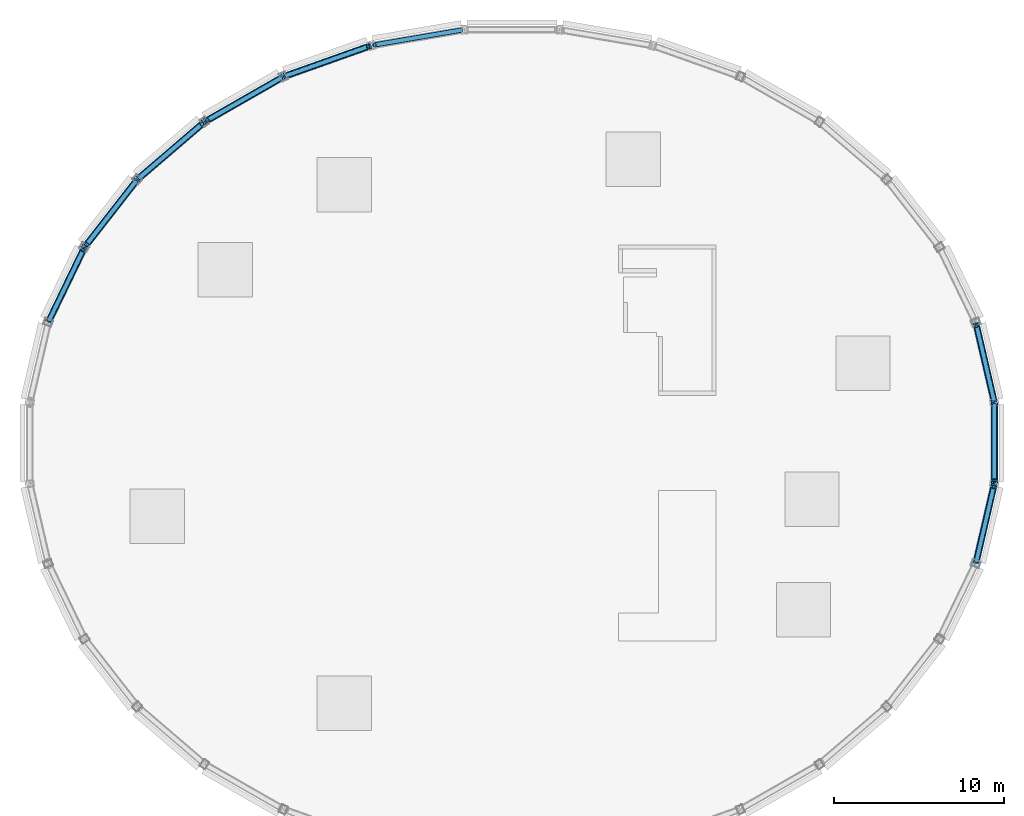
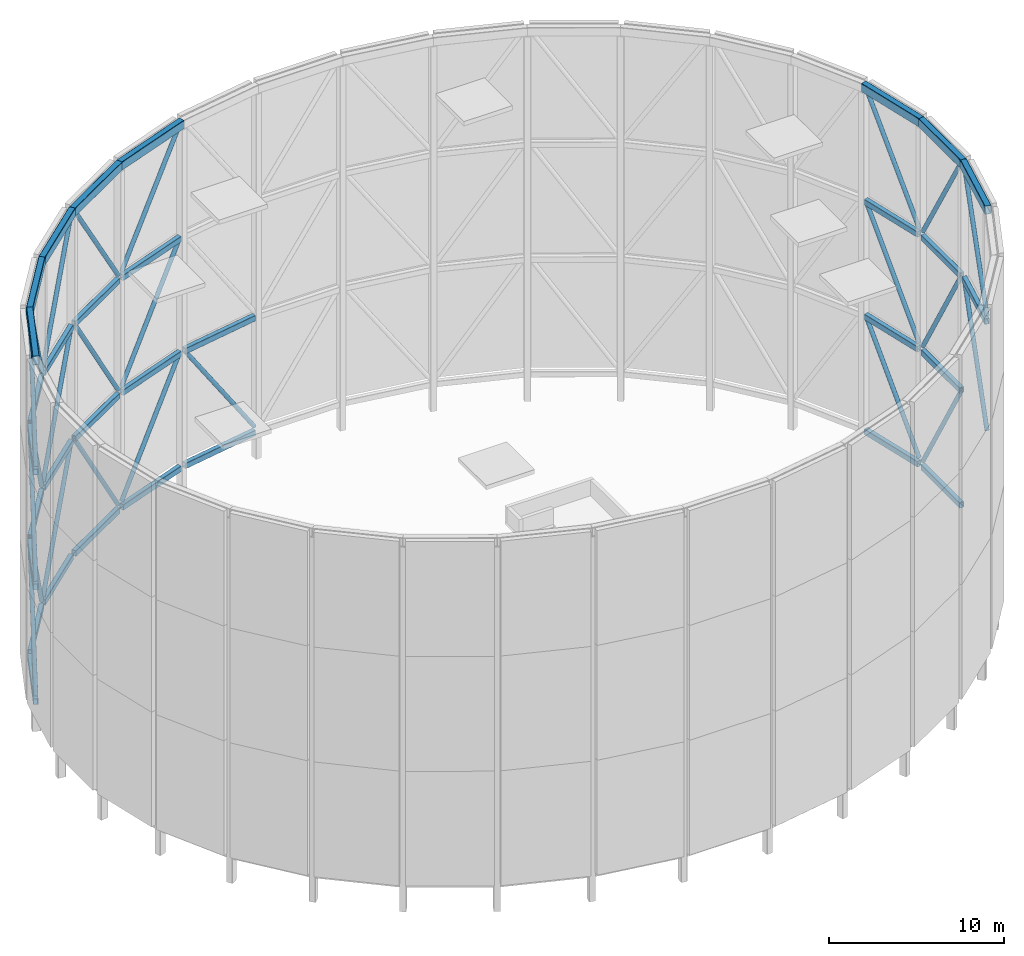
# One storey, part 5 of 8: 32 beams, 24 members.
"""IFC4 building model written with IfcOpenShell, lengths in metres."""

from ifc_helpers import new_model, si_unit, direction, frame, origin, origin_2d, place, context, subcontext, project, spatial, hollow_rectangle, hollow_circle, extrude, material, material_profile, profile_set, type_object, element, save


model = new_model("IFC4")

# Units and contexts
model_context = context("Model", 3, precision=1e-05, world=origin(), true_north=direction((0.0, 1.0)))
body_context = subcontext(model_context, "Body", "Model", "MODEL_VIEW")
ifc_project = project(units=[si_unit("LENGTHUNIT", "METRE"), si_unit("AREAUNIT", "SQUARE_METRE"), si_unit("VOLUMEUNIT", "CUBIC_METRE"), si_unit("PLANEANGLEUNIT", "RADIAN"), si_unit("MASSUNIT", "GRAM", prefix="KILO")], contexts=[model_context])

# Site, building, storey
site_placement = place(None, origin())
site = spatial("IfcSite", under=ifc_project, at=site_placement, CompositionType="ELEMENT")
building_placement = place(site_placement, origin())
building = spatial("IfcBuilding", under=site, at=building_placement, Name="Halqa Exchange Tower", CompositionType="ELEMENT")
storey_placement = place(building_placement, frame((0.0, 0.0, 355.300048828125)))
storey = spatial("IfcBuildingStorey", under=building, at=storey_placement, Name="Roof level crown frame", CompositionType="ELEMENT", Elevation=355.300048828125)

# Members
ifc_material = material(Name="Steel S355", Category="steel")
ifc_material_profile_1 = material_profile(ifc_material, hollow_circle(Radius=0.136474609375, WallThickness=0.01611328125, at=origin_2d()), Name="CHS 273x16")
ifc_profile_set_1 = profile_set([ifc_material_profile_1], Name="Steel S355")
member_type = type_object("IfcMemberType", Name="CROWN FRAME brace CHS 273x16", PredefinedType="BRACE", material=ifc_profile_set_1)
member_1_placement = place(storey_placement, frame((28.31982421875, 2.57958984375, 2.199951171875), z_axis=(-0.114045514436, 0.491488463358, 0.86338445146), x_axis=(-0.974119033912, -0.22603563385, 0.0)))
element("IfcMember", 1, at=member_1_placement, inside=storey, type_object=member_type, Name="Crown frame brace 2.1", PredefinedType="BRACE", context=body_context, shape_type="SweptSolid", body=[
    extrude(hollow_circle(Radius=0.136474609375, WallThickness=0.01611328125, at=origin_2d()), origin(), (0.0, 0.0, 1.0), 8.802734375),
])
member_2_placement = place(storey_placement, frame((-2.980712890625, 24.279052734375, 2.199951171875), z_axis=(-0.555086491161, -0.094638132042, 0.826391318501), x_axis=(0.168067416098, -0.985775503675, 0.0)))
element("IfcMember", 2, at=member_2_placement, inside=storey, type_object=member_type, Name="Crown frame brace 2.9", PredefinedType="BRACE", context=body_context, shape_type="SweptSolid", body=[
    extrude(hollow_circle(Radius=0.136474609375, WallThickness=0.01611328125, at=origin_2d()), origin(), (0.0, 0.0, 1.0), 9.19677734375),
])
member_3_placement = place(storey_placement, frame((-8.4521484375, 23.31298828125, 9.800048828125), z_axis=(-0.52490509772, -0.186351314235, -0.830510581552), x_axis=(0.334560791797, -0.942374170164, 0.0)))
element("IfcMember", 3, at=member_3_placement, inside=storey, type_object=member_type, Name="Crown frame brace 2.10", PredefinedType="BRACE", context=body_context, shape_type="SweptSolid", body=[
    extrude(hollow_circle(Radius=0.136474609375, WallThickness=0.01611328125, at=origin_2d()), origin(), (0.0, 0.0, 1.0), 9.151123046875),
])
member_4_placement = place(storey_placement, frame((-13.599609375, 21.44970703125, 2.199951171875), z_axis=(-0.475152360308, -0.27213002748, 0.836764890897), x_axis=(0.496984556947, -0.867759384943, 0.0)))
element("IfcMember", 4, at=member_4_placement, inside=storey, type_object=member_type, Name="Crown frame brace 2.11", PredefinedType="BRACE", context=body_context, shape_type="SweptSolid", body=[
    extrude(hollow_circle(Radius=0.136474609375, WallThickness=0.01611328125, at=origin_2d()), origin(), (0.0, 0.0, 1.0), 9.082763671875),
])
member_5_placement = place(storey_placement, frame((-18.224609375, 18.760009765625, 9.800048828125), z_axis=(-0.406814817738, -0.34871778863, -0.844332640588), x_axis=(0.650812216448, -0.759238736447, 0.0)))
element("IfcMember", 5, at=member_5_placement, inside=storey, type_object=member_type, Name="Crown frame brace 2.12", PredefinedType="BRACE", context=body_context, shape_type="SweptSolid", body=[
    extrude(hollow_circle(Radius=0.136474609375, WallThickness=0.01611328125, at=origin_2d()), origin(), (0.0, 0.0, 1.0), 9.001220703125),
])
member_6_placement = place(storey_placement, frame((-22.147705078125, 15.347412109375, 2.199951171875), z_axis=(-0.32180529833, -0.412815132212, 0.852071016162), x_axis=(0.788678776102, -0.614805488041, 0.0)))
element("IfcMember", 6, at=member_6_placement, inside=storey, type_object=member_type, Name="Crown frame brace 2.13", PredefinedType="BRACE", context=body_context, shape_type="SweptSolid", body=[
    extrude(hollow_circle(Radius=0.136474609375, WallThickness=0.01611328125, at=origin_2d()), origin(), (0.0, 0.0, 1.0), 8.919677734375),
])
member_7_placement = place(storey_placement, frame((-25.217529296875, 11.344482421875, 9.800048828125), z_axis=(-0.222905657614, -0.461287809526, -0.85879370316), x_axis=(0.900387276879, -0.435089360516, 0.0)))
element("IfcMember", 7, at=member_7_placement, inside=storey, type_object=member_type, Name="Crown frame brace 2.14", PredefinedType="BRACE", context=body_context, shape_type="SweptSolid", body=[
    extrude(hollow_circle(Radius=0.136474609375, WallThickness=0.01611328125, at=origin_2d()), origin(), (0.0, 0.0, 1.0), 8.849853515625),
])
member_8_placement = place(storey_placement, frame((28.36279296875, -2.204345703125, 9.800048828125), z_axis=(0.0, 0.501772148511, -0.864999832936), x_axis=(-1.0, 0.0, 0.0)))
element("IfcMember", 8, at=member_8_placement, inside=storey, type_object=member_type, Name="Crown frame brace 2.32", PredefinedType="BRACE", context=body_context, shape_type="SweptSolid", body=[
    extrude(hollow_circle(Radius=0.136474609375, WallThickness=0.01611328125, at=origin_2d()), origin(), (0.0, 0.0, 1.0), 8.7861328125),
])
member_9_placement = place(storey_placement, frame((28.31982421875, 2.57958984375, 10.199951171875), z_axis=(-0.114045514436, 0.491488463358, 0.86338445146), x_axis=(-0.974119033912, -0.22603563385, 0.0)))
element("IfcMember", 9, at=member_9_placement, inside=storey, type_object=member_type, Name="Crown frame brace 3.1", PredefinedType="BRACE", context=body_context, shape_type="SweptSolid", body=[
    extrude(hollow_circle(Radius=0.136474609375, WallThickness=0.01611328125, at=origin_2d()), origin(), (0.0, 0.0, 1.0), 8.802734375),
])
member_10_placement = place(storey_placement, frame((-8.4521484375, 23.31298828125, 17.800048828125), z_axis=(-0.52490509772, -0.186351314235, -0.830510581552), x_axis=(0.334560791797, -0.942374170164, 0.0)))
element("IfcMember", 10, at=member_10_placement, inside=storey, type_object=member_type, Name="Crown frame brace 3.10", PredefinedType="BRACE", context=body_context, shape_type="SweptSolid", body=[
    extrude(hollow_circle(Radius=0.136474609375, WallThickness=0.01611328125, at=origin_2d()), origin(), (0.0, 0.0, 1.0), 9.151123046875),
])
member_11_placement = place(storey_placement, frame((-13.599609375, 21.44970703125, 10.199951171875), z_axis=(-0.475152360308, -0.27213002748, 0.836764890897), x_axis=(0.496984556947, -0.867759384943, 0.0)))
element("IfcMember", 11, at=member_11_placement, inside=storey, type_object=member_type, Name="Crown frame brace 3.11", PredefinedType="BRACE", context=body_context, shape_type="SweptSolid", body=[
    extrude(hollow_circle(Radius=0.136474609375, WallThickness=0.01611328125, at=origin_2d()), origin(), (0.0, 0.0, 1.0), 9.082763671875),
])
member_12_placement = place(storey_placement, frame((-18.224609375, 18.760009765625, 17.800048828125), z_axis=(-0.406814817738, -0.34871778863, -0.844332640588), x_axis=(0.650812216448, -0.759238736447, 0.0)))
element("IfcMember", 12, at=member_12_placement, inside=storey, type_object=member_type, Name="Crown frame brace 3.12", PredefinedType="BRACE", context=body_context, shape_type="SweptSolid", body=[
    extrude(hollow_circle(Radius=0.136474609375, WallThickness=0.01611328125, at=origin_2d()), origin(), (0.0, 0.0, 1.0), 9.001220703125),
])
member_13_placement = place(storey_placement, frame((-22.147705078125, 15.347412109375, 10.199951171875), z_axis=(-0.32180529833, -0.412815132212, 0.852071016162), x_axis=(0.788678776102, -0.614805488041, 0.0)))
element("IfcMember", 13, at=member_13_placement, inside=storey, type_object=member_type, Name="Crown frame brace 3.13", PredefinedType="BRACE", context=body_context, shape_type="SweptSolid", body=[
    extrude(hollow_circle(Radius=0.136474609375, WallThickness=0.01611328125, at=origin_2d()), origin(), (0.0, 0.0, 1.0), 8.919677734375),
])
member_14_placement = place(storey_placement, frame((-25.217529296875, 11.344482421875, 17.800048828125), z_axis=(-0.222905657614, -0.461287809526, -0.85879370316), x_axis=(0.900387276879, -0.435089360516, 0.0)))
element("IfcMember", 14, at=member_14_placement, inside=storey, type_object=member_type, Name="Crown frame brace 3.14", PredefinedType="BRACE", context=body_context, shape_type="SweptSolid", body=[
    extrude(hollow_circle(Radius=0.136474609375, WallThickness=0.01611328125, at=origin_2d()), origin(), (0.0, 0.0, 1.0), 8.849853515625),
])
member_15_placement = place(storey_placement, frame((27.31591796875, -6.906005859375, 10.199951171875), z_axis=(0.114045514436, 0.491488463358, 0.86338445146), x_axis=(-0.974119033912, 0.22603563385, 0.0)))
element("IfcMember", 15, at=member_15_placement, inside=storey, type_object=member_type, Name="Crown frame brace 3.31", PredefinedType="BRACE", context=body_context, shape_type="SweptSolid", body=[
    extrude(hollow_circle(Radius=0.136474609375, WallThickness=0.01611328125, at=origin_2d()), origin(), (0.0, 0.0, 1.0), 8.802734375),
])
member_16_placement = place(storey_placement, frame((28.36279296875, -2.204345703125, 17.800048828125), z_axis=(0.0, 0.501772148511, -0.864999832936), x_axis=(-1.0, 0.0, 0.0)))
element("IfcMember", 16, at=member_16_placement, inside=storey, type_object=member_type, Name="Crown frame brace 3.32", PredefinedType="BRACE", context=body_context, shape_type="SweptSolid", body=[
    extrude(hollow_circle(Radius=0.136474609375, WallThickness=0.01611328125, at=origin_2d()), origin(), (0.0, 0.0, 1.0), 8.7861328125),
])
member_17_placement = place(storey_placement, frame((28.31982421875, 2.57958984375, 18.199951171875), z_axis=(-0.115174356255, 0.496353299414, 0.860446552565), x_axis=(-0.974119033912, -0.22603563385, 0.0)))
element("IfcMember", 17, at=member_17_placement, inside=storey, type_object=member_type, Name="Crown frame brace 4.1", PredefinedType="BRACE", context=body_context, shape_type="SweptSolid", body=[
    extrude(hollow_circle(Radius=0.136474609375, WallThickness=0.01611328125, at=origin_2d()), origin(), (0.0, 0.0, 1.0), 8.71630859375),
])
member_18_placement = place(storey_placement, frame((-8.4521484375, 23.31298828125, 25.699951171875), z_axis=(-0.529707235587, -0.188056164705, -0.827070204688), x_axis=(0.334560791797, -0.942374170164, 0.0)))
element("IfcMember", 18, at=member_18_placement, inside=storey, type_object=member_type, Name="Crown frame brace 4.10", PredefinedType="BRACE", context=body_context, shape_type="SweptSolid", body=[
    extrude(hollow_circle(Radius=0.136474609375, WallThickness=0.01611328125, at=origin_2d()), origin(), (0.0, 0.0, 1.0), 9.068115234375),
])
member_19_placement = place(storey_placement, frame((-13.599609375, 21.44970703125, 18.199951171875), z_axis=(-0.479565967415, -0.274657795673, 0.833414409627), x_axis=(0.496984556947, -0.867759384943, 0.0)))
element("IfcMember", 19, at=member_19_placement, inside=storey, type_object=member_type, Name="Crown frame brace 4.11", PredefinedType="BRACE", context=body_context, shape_type="SweptSolid", body=[
    extrude(hollow_circle(Radius=0.136474609375, WallThickness=0.01611328125, at=origin_2d()), origin(), (0.0, 0.0, 1.0), 8.9990234375),
])
member_20_placement = place(storey_placement, frame((-18.224609375, 18.760009765625, 25.699951171875), z_axis=(-0.410663287748, -0.352016660482, -0.841094486273), x_axis=(0.650812216448, -0.759238736447, 0.0)))
element("IfcMember", 20, at=member_20_placement, inside=storey, type_object=member_type, Name="Crown frame brace 4.12", PredefinedType="BRACE", context=body_context, shape_type="SweptSolid", body=[
    extrude(hollow_circle(Radius=0.136474609375, WallThickness=0.01611328125, at=origin_2d()), origin(), (0.0, 0.0, 1.0), 8.9169921875),
])
member_21_placement = place(storey_placement, frame((-22.147705078125, 15.347412109375, 18.199951171875), z_axis=(-0.324906448646, -0.416793319595, 0.848951782122), x_axis=(0.788678776102, -0.614805488041, 0.0)))
element("IfcMember", 21, at=member_21_placement, inside=storey, type_object=member_type, Name="Crown frame brace 4.13", PredefinedType="BRACE", context=body_context, shape_type="SweptSolid", body=[
    extrude(hollow_circle(Radius=0.136474609375, WallThickness=0.01611328125, at=origin_2d()), origin(), (0.0, 0.0, 1.0), 8.83447265625),
])
member_22_placement = place(storey_placement, frame((-25.217529296875, 11.344482421875, 25.699951171875), z_axis=(-0.22508827003, -0.465804574651, -0.855781145462), x_axis=(0.900387276879, -0.435089360516, 0.0)))
element("IfcMember", 22, at=member_22_placement, inside=storey, type_object=member_type, Name="Crown frame brace 4.14", PredefinedType="BRACE", context=body_context, shape_type="SweptSolid", body=[
    extrude(hollow_circle(Radius=0.136474609375, WallThickness=0.01611328125, at=origin_2d()), origin(), (0.0, 0.0, 1.0), 8.763916015625),
])
member_23_placement = place(storey_placement, frame((27.31591796875, -6.906005859375, 18.199951171875), z_axis=(0.115174356255, 0.496353299414, 0.860446552565), x_axis=(-0.974119033912, 0.22603563385, 0.0)))
element("IfcMember", 23, at=member_23_placement, inside=storey, type_object=member_type, Name="Crown frame brace 4.31", PredefinedType="BRACE", context=body_context, shape_type="SweptSolid", body=[
    extrude(hollow_circle(Radius=0.136474609375, WallThickness=0.01611328125, at=origin_2d()), origin(), (0.0, 0.0, 1.0), 8.71630859375),
])
member_24_placement = place(storey_placement, frame((28.36279296875, -2.204345703125, 25.699951171875), z_axis=(0.0, 0.506757654761, -0.862088556554), x_axis=(-1.0, 0.0, 0.0)))
element("IfcMember", 24, at=member_24_placement, inside=storey, type_object=member_type, Name="Crown frame brace 4.32", PredefinedType="BRACE", context=body_context, shape_type="SweptSolid", body=[
    extrude(hollow_circle(Radius=0.136474609375, WallThickness=0.01611328125, at=origin_2d()), origin(), (0.0, 0.0, 1.0), 8.69970703125),
])

# Beams
ifc_material_profile_2 = material_profile(ifc_material, hollow_rectangle(XDim=0.39990234375, YDim=0.60009765625, WallThickness=0.02490234375, InnerFilletRadius=0.03759765625, OuterFilletRadius=0.050048828125, at=origin_2d()), Name="RHS 600x400x25")
ifc_profile_set_2 = profile_set([ifc_material_profile_2], Name="Steel S355")
beam_type_1 = type_object("IfcBeamType", Name="CROWN FRAME cap beam RHS 600x400x25", PredefinedType="BEAM", material=ifc_profile_set_2)
beam_1_placement = place(storey_placement, frame((28.36279296875, 2.394287109375, 25.699951171875), z_axis=(-0.226072226759, 0.97411054213, 0.0), x_axis=(-0.97411054213, -0.226072226759, 0.0)))
element("IfcBeam", 25, at=beam_1_placement, inside=storey, type_object=beam_type_1, Name="Crown frame cap beam 4.1", PredefinedType="BEAM", context=body_context, shape_type="SweptSolid", body=[
    extrude(hollow_rectangle(XDim=0.39990234375, YDim=0.60009765625, WallThickness=0.02490234375, InnerFilletRadius=0.03759765625, OuterFilletRadius=0.050048828125, at=origin_2d()), origin(), (0.0, 0.0, 1.0), 4.82177734375),
])
beam_2_placement = place(storey_placement, frame((-8.273193359375, 23.376708984375, 25.699951171875), z_axis=(-0.942371541637, -0.334568195607, 0.0), x_axis=(0.334568195607, -0.942371541637, 0.0)))
element("IfcBeam", 26, at=beam_2_placement, inside=storey, type_object=beam_type_1, Name="Crown frame cap beam 4.10", PredefinedType="BEAM", context=body_context, shape_type="SweptSolid", body=[
    extrude(hollow_rectangle(XDim=0.39990234375, YDim=0.60009765625, WallThickness=0.02490234375, InnerFilletRadius=0.03759765625, OuterFilletRadius=0.050048828125, at=origin_2d()), origin(), (0.0, 0.0, 1.0), 5.477294921875),
])
beam_3_placement = place(storey_placement, frame((-13.434814453125, 21.544189453125, 25.699951171875), z_axis=(-0.867743142166, -0.497012916557, 0.0), x_axis=(0.497012916557, -0.867743142166, 0.0)))
element("IfcBeam", 27, at=beam_3_placement, inside=storey, type_object=beam_type_1, Name="Crown frame cap beam 4.11", PredefinedType="BEAM", context=body_context, shape_type="SweptSolid", body=[
    extrude(hollow_rectangle(XDim=0.39990234375, YDim=0.60009765625, WallThickness=0.02490234375, InnerFilletRadius=0.03759765625, OuterFilletRadius=0.050048828125, at=origin_2d()), origin(), (0.0, 0.0, 1.0), 5.353271484375),
])
beam_4_placement = place(storey_placement, frame((-18.080078125, 18.883544921875, 25.699951171875), z_axis=(-0.759263226359, -0.650783645384, 0.0), x_axis=(0.650783645384, -0.759263226359, 0.0)))
element("IfcBeam", 28, at=beam_4_placement, inside=storey, type_object=beam_type_1, Name="Crown frame cap beam 4.12", PredefinedType="BEAM", context=body_context, shape_type="SweptSolid", body=[
    extrude(hollow_rectangle(XDim=0.39990234375, YDim=0.60009765625, WallThickness=0.02490234375, InnerFilletRadius=0.03759765625, OuterFilletRadius=0.050048828125, at=origin_2d()), origin(), (0.0, 0.0, 1.0), 5.203369140625),
])
beam_5_placement = place(storey_placement, frame((-22.03076171875, 15.497314453125, 25.699951171875), z_axis=(-0.614820715009, -0.788666905858, 0.0), x_axis=(0.788666905858, -0.614820715009, 0.0)))
element("IfcBeam", 29, at=beam_5_placement, inside=storey, type_object=beam_type_1, Name="Crown frame cap beam 4.13", PredefinedType="BEAM", context=body_context, shape_type="SweptSolid", body=[
    extrude(hollow_rectangle(XDim=0.39990234375, YDim=0.60009765625, WallThickness=0.02490234375, InnerFilletRadius=0.03759765625, OuterFilletRadius=0.050048828125, at=origin_2d()), origin(), (0.0, 0.0, 1.0), 5.048583984375),
])
beam_6_placement = place(storey_placement, frame((-25.134765625, 11.515625, 25.699951171875), z_axis=(-0.435089449645, -0.90038723381, 0.0), x_axis=(0.90038723381, -0.435089449645, 0.0)))
element("IfcBeam", 30, at=beam_6_placement, inside=storey, type_object=beam_type_1, Name="Crown frame cap beam 4.14", PredefinedType="BEAM", context=body_context, shape_type="SweptSolid", body=[
    extrude(hollow_rectangle(XDim=0.39990234375, YDim=0.60009765625, WallThickness=0.02490234375, InnerFilletRadius=0.03759765625, OuterFilletRadius=0.050048828125, at=origin_2d()), origin(), (0.0, 0.0, 1.0), 4.913818359375),
])
beam_7_placement = place(storey_placement, frame((27.272705078125, -7.09130859375, 25.699951171875), z_axis=(0.226072226759, 0.97411054213, 0.0), x_axis=(-0.97411054213, 0.226072226759, 0.0)))
element("IfcBeam", 31, at=beam_7_placement, inside=storey, type_object=beam_type_1, Name="Crown frame cap beam 4.31", PredefinedType="BEAM", context=body_context, shape_type="SweptSolid", body=[
    extrude(hollow_rectangle(XDim=0.39990234375, YDim=0.60009765625, WallThickness=0.02490234375, InnerFilletRadius=0.03759765625, OuterFilletRadius=0.050048828125, at=origin_2d()), origin(), (0.0, 0.0, 1.0), 4.82177734375),
])
beam_8_placement = place(storey_placement, frame((28.36279296875, -2.394287109375, 25.699951171875), z_axis=(0.0, 1.0, 0.0), x_axis=(-1.0, 0.0, 0.0)))
element("IfcBeam", 32, at=beam_8_placement, inside=storey, type_object=beam_type_1, Name="Crown frame cap beam 4.32", PredefinedType="BEAM", context=body_context, shape_type="SweptSolid", body=[
    extrude(hollow_rectangle(XDim=0.39990234375, YDim=0.60009765625, WallThickness=0.02490234375, InnerFilletRadius=0.03759765625, OuterFilletRadius=0.050048828125, at=origin_2d()), origin(), (0.0, 0.0, 1.0), 4.78857421875),
])
ifc_material_profile_3 = material_profile(ifc_material, hollow_rectangle(XDim=0.300048828125, YDim=0.39990234375, WallThickness=0.01611328125, InnerFilletRadius=0.02392578125, OuterFilletRadius=0.031982421875, at=origin_2d()), Name="RHS 400x300x16")
ifc_profile_set_3 = profile_set([ifc_material_profile_3], Name="Steel S355")
beam_type_2 = type_object("IfcBeamType", Name="CROWN FRAME ring beam RHS 400x300x16", PredefinedType="BEAM", material=ifc_profile_set_3)
beam_9_placement = place(storey_placement, frame((28.31982421875, 2.57958984375, 1.800048828125), z_axis=(-0.22603563385, 0.974119033912, 0.0), x_axis=(-0.974119033912, -0.22603563385, 0.0)))
element("IfcBeam", 33, at=beam_9_placement, inside=storey, type_object=beam_type_2, Name="Crown frame ring beam 1.1", PredefinedType="BEAM", context=body_context, shape_type="SweptSolid", body=[
    extrude(hollow_rectangle(XDim=0.300048828125, YDim=0.39990234375, WallThickness=0.01611328125, InnerFilletRadius=0.02392578125, OuterFilletRadius=0.031982421875, at=origin_2d()), origin(), (0.0, 0.0, 1.0), 4.44140625),
])
beam_10_placement = place(storey_placement, frame((-2.980712890625, 24.279052734375, 1.800048828125), z_axis=(-0.985775503675, -0.168067416098, 0.0), x_axis=(0.168067416098, -0.985775503675, 0.0)))
element("IfcBeam", 34, at=beam_10_placement, inside=storey, type_object=beam_type_2, Name="Crown frame ring beam 1.9", PredefinedType="BEAM", context=body_context, shape_type="SweptSolid", body=[
    extrude(hollow_rectangle(XDim=0.300048828125, YDim=0.39990234375, WallThickness=0.01611328125, InnerFilletRadius=0.02392578125, OuterFilletRadius=0.031982421875, at=origin_2d()), origin(), (0.0, 0.0, 1.0), 5.1787109375),
])
beam_11_placement = place(storey_placement, frame((-8.4521484375, 23.31298828125, 1.800048828125), z_axis=(-0.942374170164, -0.334560791797, 0.0), x_axis=(0.334560791797, -0.942374170164, 0.0)))
element("IfcBeam", 35, at=beam_11_placement, inside=storey, type_object=beam_type_2, Name="Crown frame ring beam 1.10", PredefinedType="BEAM", context=body_context, shape_type="SweptSolid", body=[
    extrude(hollow_rectangle(XDim=0.300048828125, YDim=0.39990234375, WallThickness=0.01611328125, InnerFilletRadius=0.02392578125, OuterFilletRadius=0.031982421875, at=origin_2d()), origin(), (0.0, 0.0, 1.0), 5.09716796875),
])
beam_12_placement = place(storey_placement, frame((-13.599609375, 21.44970703125, 1.800048828125), z_axis=(-0.867759384943, -0.496984556947, 0.0), x_axis=(0.496984556947, -0.867759384943, 0.0)))
element("IfcBeam", 36, at=beam_12_placement, inside=storey, type_object=beam_type_2, Name="Crown frame ring beam 1.11", PredefinedType="BEAM", context=body_context, shape_type="SweptSolid", body=[
    extrude(hollow_rectangle(XDim=0.300048828125, YDim=0.39990234375, WallThickness=0.01611328125, InnerFilletRadius=0.02392578125, OuterFilletRadius=0.031982421875, at=origin_2d()), origin(), (0.0, 0.0, 1.0), 4.973388671875),
])
beam_13_placement = place(storey_placement, frame((-18.224609375, 18.760009765625, 1.800048828125), z_axis=(-0.759238736447, -0.650812216448, 0.0), x_axis=(0.650812216448, -0.759238736447, 0.0)))
element("IfcBeam", 37, at=beam_13_placement, inside=storey, type_object=beam_type_2, Name="Crown frame ring beam 1.12", PredefinedType="BEAM", context=body_context, shape_type="SweptSolid", body=[
    extrude(hollow_rectangle(XDim=0.300048828125, YDim=0.39990234375, WallThickness=0.01611328125, InnerFilletRadius=0.02392578125, OuterFilletRadius=0.031982421875, at=origin_2d()), origin(), (0.0, 0.0, 1.0), 4.822998046875),
])
beam_14_placement = place(storey_placement, frame((-22.147705078125, 15.347412109375, 1.800048828125), z_axis=(-0.614805488041, -0.788678776102, 0.0), x_axis=(0.788678776102, -0.614805488041, 0.0)))
element("IfcBeam", 38, at=beam_14_placement, inside=storey, type_object=beam_type_2, Name="Crown frame ring beam 1.13", PredefinedType="BEAM", context=body_context, shape_type="SweptSolid", body=[
    extrude(hollow_rectangle(XDim=0.300048828125, YDim=0.39990234375, WallThickness=0.01611328125, InnerFilletRadius=0.02392578125, OuterFilletRadius=0.031982421875, at=origin_2d()), origin(), (0.0, 0.0, 1.0), 4.668701171875),
])
beam_15_placement = place(storey_placement, frame((-25.217529296875, 11.344482421875, 1.800048828125), z_axis=(-0.435089360516, -0.900387276879, 0.0), x_axis=(0.900387276879, -0.435089360516, 0.0)))
element("IfcBeam", 39, at=beam_15_placement, inside=storey, type_object=beam_type_2, Name="Crown frame ring beam 1.14", PredefinedType="BEAM", context=body_context, shape_type="SweptSolid", body=[
    extrude(hollow_rectangle(XDim=0.300048828125, YDim=0.39990234375, WallThickness=0.01611328125, InnerFilletRadius=0.02392578125, OuterFilletRadius=0.031982421875, at=origin_2d()), origin(), (0.0, 0.0, 1.0), 4.533935546875),
])
beam_16_placement = place(storey_placement, frame((28.36279296875, -2.204345703125, 1.800048828125), z_axis=(0.0, 1.0, 0.0), x_axis=(-1.0, 0.0, 0.0)))
element("IfcBeam", 40, at=beam_16_placement, inside=storey, type_object=beam_type_2, Name="Crown frame ring beam 1.32", PredefinedType="BEAM", context=body_context, shape_type="SweptSolid", body=[
    extrude(hollow_rectangle(XDim=0.300048828125, YDim=0.39990234375, WallThickness=0.01611328125, InnerFilletRadius=0.02392578125, OuterFilletRadius=0.031982421875, at=origin_2d()), origin(), (0.0, 0.0, 1.0), 4.40869140625),
])
beam_17_placement = place(storey_placement, frame((28.31982421875, 2.57958984375, 9.800048828125), z_axis=(-0.22603563385, 0.974119033912, 0.0), x_axis=(-0.974119033912, -0.22603563385, 0.0)))
element("IfcBeam", 41, at=beam_17_placement, inside=storey, type_object=beam_type_2, Name="Crown frame ring beam 2.1", PredefinedType="BEAM", context=body_context, shape_type="SweptSolid", body=[
    extrude(hollow_rectangle(XDim=0.300048828125, YDim=0.39990234375, WallThickness=0.01611328125, InnerFilletRadius=0.02392578125, OuterFilletRadius=0.031982421875, at=origin_2d()), origin(), (0.0, 0.0, 1.0), 4.44140625),
])
beam_18_placement = place(storey_placement, frame((-2.980712890625, 24.279052734375, 9.800048828125), z_axis=(-0.985775503675, -0.168067416098, 0.0), x_axis=(0.168067416098, -0.985775503675, 0.0)))
element("IfcBeam", 42, at=beam_18_placement, inside=storey, type_object=beam_type_2, Name="Crown frame ring beam 2.9", PredefinedType="BEAM", context=body_context, shape_type="SweptSolid", body=[
    extrude(hollow_rectangle(XDim=0.300048828125, YDim=0.39990234375, WallThickness=0.01611328125, InnerFilletRadius=0.02392578125, OuterFilletRadius=0.031982421875, at=origin_2d()), origin(), (0.0, 0.0, 1.0), 5.1787109375),
])
beam_19_placement = place(storey_placement, frame((-8.4521484375, 23.31298828125, 9.800048828125), z_axis=(-0.942374170164, -0.334560791797, 0.0), x_axis=(0.334560791797, -0.942374170164, 0.0)))
element("IfcBeam", 43, at=beam_19_placement, inside=storey, type_object=beam_type_2, Name="Crown frame ring beam 2.10", PredefinedType="BEAM", context=body_context, shape_type="SweptSolid", body=[
    extrude(hollow_rectangle(XDim=0.300048828125, YDim=0.39990234375, WallThickness=0.01611328125, InnerFilletRadius=0.02392578125, OuterFilletRadius=0.031982421875, at=origin_2d()), origin(), (0.0, 0.0, 1.0), 5.09716796875),
])
beam_20_placement = place(storey_placement, frame((-13.599609375, 21.44970703125, 9.800048828125), z_axis=(-0.867759384943, -0.496984556947, 0.0), x_axis=(0.496984556947, -0.867759384943, 0.0)))
element("IfcBeam", 44, at=beam_20_placement, inside=storey, type_object=beam_type_2, Name="Crown frame ring beam 2.11", PredefinedType="BEAM", context=body_context, shape_type="SweptSolid", body=[
    extrude(hollow_rectangle(XDim=0.300048828125, YDim=0.39990234375, WallThickness=0.01611328125, InnerFilletRadius=0.02392578125, OuterFilletRadius=0.031982421875, at=origin_2d()), origin(), (0.0, 0.0, 1.0), 4.973388671875),
])
beam_21_placement = place(storey_placement, frame((-18.224609375, 18.760009765625, 9.800048828125), z_axis=(-0.759238736447, -0.650812216448, 0.0), x_axis=(0.650812216448, -0.759238736447, 0.0)))
element("IfcBeam", 45, at=beam_21_placement, inside=storey, type_object=beam_type_2, Name="Crown frame ring beam 2.12", PredefinedType="BEAM", context=body_context, shape_type="SweptSolid", body=[
    extrude(hollow_rectangle(XDim=0.300048828125, YDim=0.39990234375, WallThickness=0.01611328125, InnerFilletRadius=0.02392578125, OuterFilletRadius=0.031982421875, at=origin_2d()), origin(), (0.0, 0.0, 1.0), 4.822998046875),
])
beam_22_placement = place(storey_placement, frame((-22.147705078125, 15.347412109375, 9.800048828125), z_axis=(-0.614805488041, -0.788678776102, 0.0), x_axis=(0.788678776102, -0.614805488041, 0.0)))
element("IfcBeam", 46, at=beam_22_placement, inside=storey, type_object=beam_type_2, Name="Crown frame ring beam 2.13", PredefinedType="BEAM", context=body_context, shape_type="SweptSolid", body=[
    extrude(hollow_rectangle(XDim=0.300048828125, YDim=0.39990234375, WallThickness=0.01611328125, InnerFilletRadius=0.02392578125, OuterFilletRadius=0.031982421875, at=origin_2d()), origin(), (0.0, 0.0, 1.0), 4.668701171875),
])
beam_23_placement = place(storey_placement, frame((-25.217529296875, 11.344482421875, 9.800048828125), z_axis=(-0.435089360516, -0.900387276879, 0.0), x_axis=(0.900387276879, -0.435089360516, 0.0)))
element("IfcBeam", 47, at=beam_23_placement, inside=storey, type_object=beam_type_2, Name="Crown frame ring beam 2.14", PredefinedType="BEAM", context=body_context, shape_type="SweptSolid", body=[
    extrude(hollow_rectangle(XDim=0.300048828125, YDim=0.39990234375, WallThickness=0.01611328125, InnerFilletRadius=0.02392578125, OuterFilletRadius=0.031982421875, at=origin_2d()), origin(), (0.0, 0.0, 1.0), 4.533935546875),
])
beam_24_placement = place(storey_placement, frame((28.36279296875, -2.204345703125, 9.800048828125), z_axis=(0.0, 1.0, 0.0), x_axis=(-1.0, 0.0, 0.0)))
element("IfcBeam", 48, at=beam_24_placement, inside=storey, type_object=beam_type_2, Name="Crown frame ring beam 2.32", PredefinedType="BEAM", context=body_context, shape_type="SweptSolid", body=[
    extrude(hollow_rectangle(XDim=0.300048828125, YDim=0.39990234375, WallThickness=0.01611328125, InnerFilletRadius=0.02392578125, OuterFilletRadius=0.031982421875, at=origin_2d()), origin(), (0.0, 0.0, 1.0), 4.40869140625),
])
beam_25_placement = place(storey_placement, frame((28.31982421875, 2.57958984375, 17.800048828125), z_axis=(-0.22603563385, 0.974119033912, 0.0), x_axis=(-0.974119033912, -0.22603563385, 0.0)))
element("IfcBeam", 49, at=beam_25_placement, inside=storey, type_object=beam_type_2, Name="Crown frame ring beam 3.1", PredefinedType="BEAM", context=body_context, shape_type="SweptSolid", body=[
    extrude(hollow_rectangle(XDim=0.300048828125, YDim=0.39990234375, WallThickness=0.01611328125, InnerFilletRadius=0.02392578125, OuterFilletRadius=0.031982421875, at=origin_2d()), origin(), (0.0, 0.0, 1.0), 4.44140625),
])
beam_26_placement = place(storey_placement, frame((-8.4521484375, 23.31298828125, 17.800048828125), z_axis=(-0.942374170164, -0.334560791797, 0.0), x_axis=(0.334560791797, -0.942374170164, 0.0)))
element("IfcBeam", 50, at=beam_26_placement, inside=storey, type_object=beam_type_2, Name="Crown frame ring beam 3.10", PredefinedType="BEAM", context=body_context, shape_type="SweptSolid", body=[
    extrude(hollow_rectangle(XDim=0.300048828125, YDim=0.39990234375, WallThickness=0.01611328125, InnerFilletRadius=0.02392578125, OuterFilletRadius=0.031982421875, at=origin_2d()), origin(), (0.0, 0.0, 1.0), 5.09716796875),
])
beam_27_placement = place(storey_placement, frame((-13.599609375, 21.44970703125, 17.800048828125), z_axis=(-0.867759384943, -0.496984556947, 0.0), x_axis=(0.496984556947, -0.867759384943, 0.0)))
element("IfcBeam", 51, at=beam_27_placement, inside=storey, type_object=beam_type_2, Name="Crown frame ring beam 3.11", PredefinedType="BEAM", context=body_context, shape_type="SweptSolid", body=[
    extrude(hollow_rectangle(XDim=0.300048828125, YDim=0.39990234375, WallThickness=0.01611328125, InnerFilletRadius=0.02392578125, OuterFilletRadius=0.031982421875, at=origin_2d()), origin(), (0.0, 0.0, 1.0), 4.973388671875),
])
beam_28_placement = place(storey_placement, frame((-18.224609375, 18.760009765625, 17.800048828125), z_axis=(-0.759238736447, -0.650812216448, 0.0), x_axis=(0.650812216448, -0.759238736447, 0.0)))
element("IfcBeam", 52, at=beam_28_placement, inside=storey, type_object=beam_type_2, Name="Crown frame ring beam 3.12", PredefinedType="BEAM", context=body_context, shape_type="SweptSolid", body=[
    extrude(hollow_rectangle(XDim=0.300048828125, YDim=0.39990234375, WallThickness=0.01611328125, InnerFilletRadius=0.02392578125, OuterFilletRadius=0.031982421875, at=origin_2d()), origin(), (0.0, 0.0, 1.0), 4.822998046875),
])
beam_29_placement = place(storey_placement, frame((-22.147705078125, 15.347412109375, 17.800048828125), z_axis=(-0.614805488041, -0.788678776102, 0.0), x_axis=(0.788678776102, -0.614805488041, 0.0)))
element("IfcBeam", 53, at=beam_29_placement, inside=storey, type_object=beam_type_2, Name="Crown frame ring beam 3.13", PredefinedType="BEAM", context=body_context, shape_type="SweptSolid", body=[
    extrude(hollow_rectangle(XDim=0.300048828125, YDim=0.39990234375, WallThickness=0.01611328125, InnerFilletRadius=0.02392578125, OuterFilletRadius=0.031982421875, at=origin_2d()), origin(), (0.0, 0.0, 1.0), 4.668701171875),
])
beam_30_placement = place(storey_placement, frame((-25.217529296875, 11.344482421875, 17.800048828125), z_axis=(-0.435089360516, -0.900387276879, 0.0), x_axis=(0.900387276879, -0.435089360516, 0.0)))
element("IfcBeam", 54, at=beam_30_placement, inside=storey, type_object=beam_type_2, Name="Crown frame ring beam 3.14", PredefinedType="BEAM", context=body_context, shape_type="SweptSolid", body=[
    extrude(hollow_rectangle(XDim=0.300048828125, YDim=0.39990234375, WallThickness=0.01611328125, InnerFilletRadius=0.02392578125, OuterFilletRadius=0.031982421875, at=origin_2d()), origin(), (0.0, 0.0, 1.0), 4.533935546875),
])
beam_31_placement = place(storey_placement, frame((27.31591796875, -6.906005859375, 17.800048828125), z_axis=(0.22603563385, 0.974119033912, 0.0), x_axis=(-0.974119033912, 0.22603563385, 0.0)))
element("IfcBeam", 55, at=beam_31_placement, inside=storey, type_object=beam_type_2, Name="Crown frame ring beam 3.31", PredefinedType="BEAM", context=body_context, shape_type="SweptSolid", body=[
    extrude(hollow_rectangle(XDim=0.300048828125, YDim=0.39990234375, WallThickness=0.01611328125, InnerFilletRadius=0.02392578125, OuterFilletRadius=0.031982421875, at=origin_2d()), origin(), (0.0, 0.0, 1.0), 4.44140625),
])
beam_32_placement = place(storey_placement, frame((28.36279296875, -2.204345703125, 17.800048828125), z_axis=(0.0, 1.0, 0.0), x_axis=(-1.0, 0.0, 0.0)))
element("IfcBeam", 56, at=beam_32_placement, inside=storey, type_object=beam_type_2, Name="Crown frame ring beam 3.32", PredefinedType="BEAM", context=body_context, shape_type="SweptSolid", body=[
    extrude(hollow_rectangle(XDim=0.300048828125, YDim=0.39990234375, WallThickness=0.01611328125, InnerFilletRadius=0.02392578125, OuterFilletRadius=0.031982421875, at=origin_2d()), origin(), (0.0, 0.0, 1.0), 4.40869140625),
])

save(model, "model.ifc")
